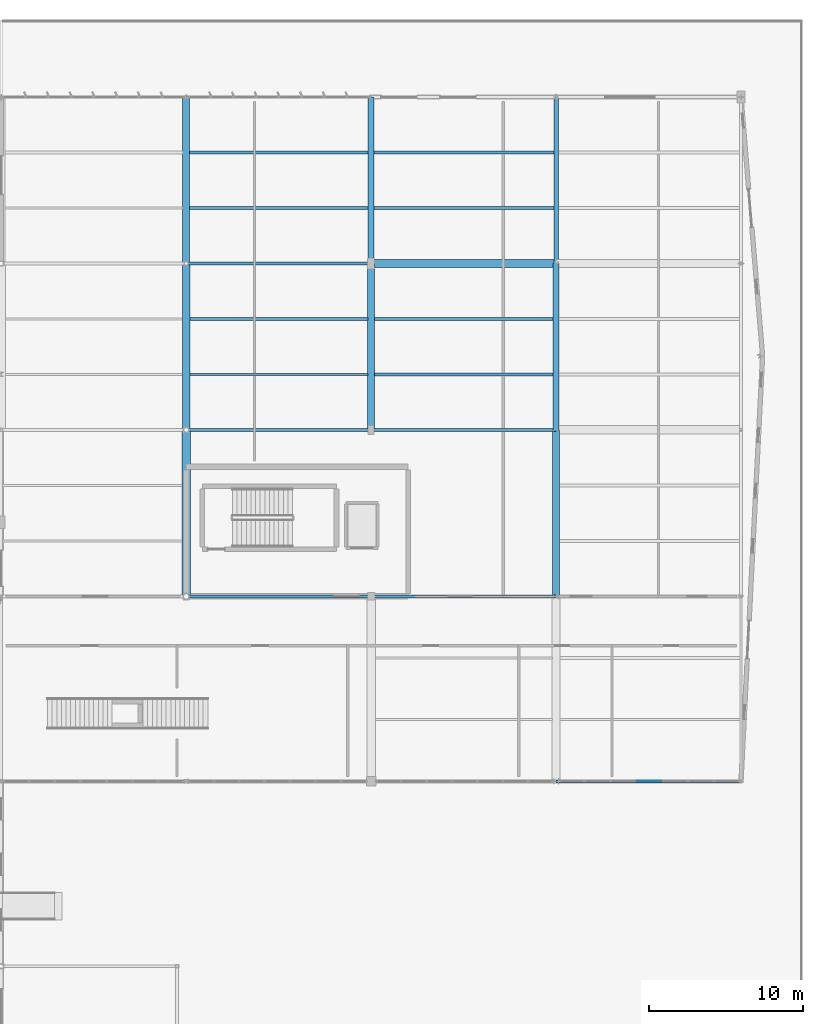
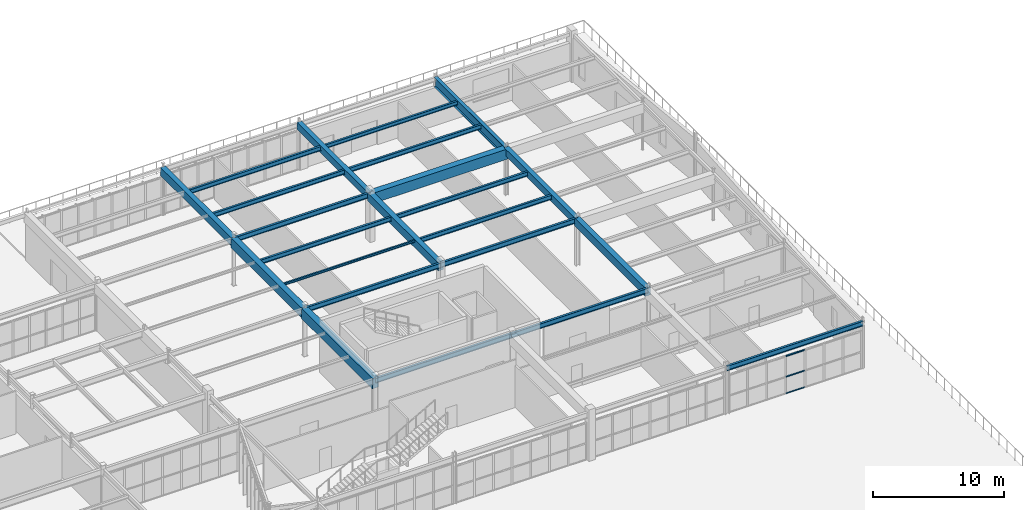
# One storey, part 108 of 199: 23 beams, 3 members, 1 element without a shape of its own.
"""IFC4 building model written with IfcOpenShell, lengths in metres."""

from ifc_helpers import new_model, si_unit, direction, frame, origin, origin_2d, place, context, subcontext, project, spatial, rectangle, i_section, extrude, material, layer, layer_set, material_profile, profile_set, type_object, element, aggregate, save


model = new_model("IFC4")

# Units and contexts
model_context = context("Model", 3, precision=1e-05, world=origin(), true_north=direction((0.0, 1.0)))
body_context = subcontext(model_context, "Body", "Model", "MODEL_VIEW")
ifc_project = project(units=[si_unit("LENGTHUNIT", "METRE"), si_unit("AREAUNIT", "SQUARE_METRE"), si_unit("VOLUMEUNIT", "CUBIC_METRE"), si_unit("PLANEANGLEUNIT", "RADIAN"), si_unit("MASSUNIT", "GRAM", prefix="KILO")], contexts=[model_context])

# Site, building, storey
site_placement = place(None, origin())
site = spatial("IfcSite", under=ifc_project, at=site_placement, CompositionType="ELEMENT")
building_placement = place(site_placement, origin())
building = spatial("IfcBuilding", under=site, at=building_placement, Name="Tarnwether General Hospital", CompositionType="ELEMENT")
storey_placement = place(building_placement, origin())
storey = spatial("IfcBuildingStorey", under=building, at=storey_placement, Name="L00", CompositionType="ELEMENT", Elevation=0.0)

# Beams
ifc_material_1 = material(Name="Steel Grade 350 (350 MPa)", Category="steel")
ifc_material_profile_1 = material_profile(ifc_material_1, i_section(OverallWidth=0.300048828125, OverallDepth=0.89990234375, WebThickness=0.011962890625, FlangeThickness=0.02001953125, at=origin_2d()), Name="900WB175")
ifc_profile_set_1 = profile_set([ifc_material_profile_1], Name="Steel Grade 350 (350 MPa)")
beam_type_1 = type_object("IfcBeamType", Name="BM-G01", PredefinedType="BEAM", material=ifc_profile_set_1)
beam_1_placement = place(storey_placement, frame((180.0, 115.199951171875, 3.9951171875), z_axis=(0.0, 1.0, 0.0), x_axis=(-1.0, 0.0, 0.0)))
element("IfcBeam", 1, at=beam_1_placement, inside=storey, type_object=beam_type_1, Name="Primary Girder BMG-L00-18000_11520-18000_12600-0853", PredefinedType="BEAM", context=body_context, shape_type="SweptSolid", body=[
    extrude(i_section(OverallWidth=0.300048828125, OverallDepth=0.89990234375, WebThickness=0.011962890625, FlangeThickness=0.02001953125, at=origin_2d()), origin(), (0.0, 0.0, 1.0), 10.800048828125),
])
ifc_material_2 = material(Name="Steel Grade 350 (350 MPa)", Category="steel")
ifc_material_profile_2 = material_profile(ifc_material_2, i_section(OverallWidth=0.19091796875, OverallDepth=0.4599609375, WebThickness=0.010009765625, FlangeThickness=0.01611328125, at=origin_2d()), Name="460UB82.1")
ifc_profile_set_2 = profile_set([ifc_material_profile_2], Name="Steel Grade 350 (350 MPa)")
beam_type_2 = type_object("IfcBeamType", Name="BM-G08", PredefinedType="BEAM", material=ifc_profile_set_2)
beam_2_placement = place(storey_placement, frame((156.0, 93.60009765625, 4.215087890625), z_axis=(1.0, 0.0, 0.0), x_axis=(0.0, 1.0, 0.0)))
element("IfcBeam", 2, at=beam_2_placement, inside=storey, type_object=beam_type_2, Name="Primary Girder BMG-L00-15600_9360-16800_9360-0814", PredefinedType="BEAM", context=body_context, shape_type="SweptSolid", body=[
    extrude(i_section(OverallWidth=0.19091796875, OverallDepth=0.4599609375, WebThickness=0.010009765625, FlangeThickness=0.01611328125, at=origin_2d()), origin(), (0.0, 0.0, 1.0), 12.0),
])
ifc_material_3 = material(Name="Steel Grade 350 (350 MPa)", Category="steel")
ifc_material_profile_3 = material_profile(ifc_material_3, i_section(OverallWidth=0.18994140625, OverallDepth=0.45703125, WebThickness=0.009033203125, FlangeThickness=0.014404296875, at=origin_2d()), Name="460UB74.6")
ifc_profile_set_3 = profile_set([ifc_material_profile_3], Name="Steel Grade 350 (350 MPa)")
beam_type_3 = type_object("IfcBeamType", Name="BM-G09", PredefinedType="BEAM", material=ifc_profile_set_3)
for number, where, z_axis, x_axis, name in (
    (3, (156.0, 104.39990234375, 4.216552734375), (1.0, 0.0, 0.0), (0.0, 1.0, 0.0), "Primary Girder BMG-L00-15600_10440-16800_10440-0816"),
    (4, (168.0, 93.60009765625, 4.216552734375), (1.0, 0.0, 0.0), (0.0, 1.0, 0.0), "Primary Girder BMG-L00-16800_9360-18000_9360-0831"),
    (5, (180.0, 81.60009765625, 4.216552734375), (1.0, 0.0, 0.0), (0.0, 1.0, 0.0), "Primary Girder BMG-L00-18000_8160-19200_8160-0846"),
):
    element("IfcBeam", number, at=place(storey_placement, frame(where, z_axis=z_axis, x_axis=x_axis)), inside=storey, type_object=beam_type_3, Name=name, PredefinedType="BEAM", context=body_context, shape_type="SweptSolid", body=[
        extrude(i_section(OverallWidth=0.18994140625, OverallDepth=0.45703125, WebThickness=0.009033203125, FlangeThickness=0.014404296875, at=origin_2d()), origin(), (0.0, 0.0, 1.0), 12.0),
    ])
ifc_material_4 = material(Name="Steel Grade 350 (350 MPa)", Category="steel")
ifc_material_profile_4 = material_profile(ifc_material_4, i_section(OverallWidth=0.18994140625, OverallDepth=0.4541015625, WebThickness=0.008544921875, FlangeThickness=0.0126953125, at=origin_2d()), Name="460UB67.1")
ifc_profile_set_4 = profile_set([ifc_material_profile_4], Name="Steel Grade 350 (350 MPa)")
beam_type_4 = type_object("IfcBeamType", Name="BM-G10", PredefinedType="BEAM", material=ifc_profile_set_4)
for number, where, z_axis, x_axis, name in (
    (6, (156.0, 115.199951171875, 4.218017578125), (1.0, 0.0, 0.0), (0.0, 1.0, 0.0), "Primary Girder BMG-L00-15600_11520-16800_11520-0818"),
    (7, (168.0, 104.39990234375, 4.218017578125), (1.0, 0.0, 0.0), (0.0, 1.0, 0.0), "Primary Girder BMG-L00-16800_10440-18000_10440-0832"),
):
    element("IfcBeam", number, at=place(storey_placement, frame(where, z_axis=z_axis, x_axis=x_axis)), inside=storey, type_object=beam_type_4, Name=name, PredefinedType="BEAM", context=body_context, shape_type="SweptSolid", body=[
        extrude(i_section(OverallWidth=0.18994140625, OverallDepth=0.4541015625, WebThickness=0.008544921875, FlangeThickness=0.0126953125, at=origin_2d()), origin(), (0.0, 0.0, 1.0), 12.0),
    ])
ifc_material_5 = material(Name="Concrete 40 MPa", Category="concrete")
ifc_material_profile_5 = material_profile(ifc_material_5, rectangle(XDim=0.550048828125, YDim=0.949951171875, at=origin_2d()), Name="RC-BM-550x950")
ifc_profile_set_5 = profile_set([ifc_material_profile_5], Name="Concrete 40 MPa")
beam_type_5 = type_object("IfcBeamType", Name="BM-G11", PredefinedType="BEAM", material=ifc_profile_set_5)
beam_3_placement = place(storey_placement, frame((156.0, 93.60009765625, 3.969970703125), z_axis=(0.0, 1.0, 0.0), x_axis=(-1.0, 0.0, 0.0)))
element("IfcBeam", 8, at=beam_3_placement, inside=storey, type_object=beam_type_5, Name="Primary Girder BMG-L00-15600_9360-15600_10440-0815", PredefinedType="BEAM", context=body_context, shape_type="SweptSolid", body=[
    extrude(rectangle(XDim=0.550048828125, YDim=0.949951171875, at=origin_2d()), origin(), (0.0, 0.0, 1.0), 10.7998046875),
])
beam_4_placement = place(storey_placement, frame((168.0, 115.199951171875, 3.969970703125), z_axis=(1.0, 0.0, 0.0), x_axis=(0.0, 1.0, 0.0)))
element("IfcBeam", 9, at=beam_4_placement, inside=storey, type_object=beam_type_5, Name="Primary Girder BMG-L00-16800_11520-18000_11520-0834", PredefinedType="BEAM", context=body_context, shape_type="SweptSolid", body=[
    extrude(rectangle(XDim=0.550048828125, YDim=0.949951171875, at=origin_2d()), origin(), (0.0, 0.0, 1.0), 12.0),
])
ifc_material_6 = material(Name="Concrete 40 MPa", Category="concrete")
ifc_material_profile_6 = material_profile(ifc_material_6, rectangle(XDim=0.5, YDim=0.89990234375, at=origin_2d()), Name="RC-BM-500x900")
ifc_profile_set_6 = profile_set([ifc_material_profile_6], Name="Concrete 40 MPa")
beam_type_6 = type_object("IfcBeamType", Name="BM-G12", PredefinedType="BEAM", material=ifc_profile_set_6)
beam_5_placement = place(storey_placement, frame((156.0, 104.39990234375, 3.9951171875), z_axis=(0.0, 1.0, 0.0), x_axis=(-1.0, 0.0, 0.0)))
element("IfcBeam", 10, at=beam_5_placement, inside=storey, type_object=beam_type_6, Name="Primary Girder BMG-L00-15600_10440-15600_11520-0817", PredefinedType="BEAM", context=body_context, shape_type="SweptSolid", body=[
    extrude(rectangle(XDim=0.5, YDim=0.89990234375, at=origin_2d()), origin(), (0.0, 0.0, 1.0), 10.800048828125),
])
ifc_material_7 = material(Name="Concrete 40 MPa", Category="concrete")
ifc_material_profile_7 = material_profile(ifc_material_7, rectangle(XDim=0.449951171875, YDim=0.75, at=origin_2d()), Name="RC-BM-450x750")
ifc_profile_set_7 = profile_set([ifc_material_profile_7], Name="Concrete 40 MPa")
beam_type_7 = type_object("IfcBeamType", Name="BM-G13", PredefinedType="BEAM", material=ifc_profile_set_7)
for number, where, z_axis, x_axis, name in (
    (11, (156.0, 115.199951171875, 4.070068359375), (0.0, 1.0, 0.0), (-1.0, 0.0, 0.0), "Primary Girder BMG-L00-15600_11520-15600_12600-0819"),
    (12, (168.0, 104.39990234375, 4.070068359375), (0.0, 1.0, 0.0), (-1.0, 0.0, 0.0), "Primary Girder BMG-L00-16800_10440-16800_11520-0833"),
):
    element("IfcBeam", number, at=place(storey_placement, frame(where, z_axis=z_axis, x_axis=x_axis)), inside=storey, type_object=beam_type_7, Name=name, PredefinedType="BEAM", context=body_context, shape_type="SweptSolid", body=[
        extrude(rectangle(XDim=0.449951171875, YDim=0.75, at=origin_2d()), origin(), (0.0, 0.0, 1.0), 10.800048828125),
    ])
beam_6_placement = place(storey_placement, frame((180.0, 93.60009765625, 4.070068359375), z_axis=(0.0, 1.0, 0.0), x_axis=(-1.0, 0.0, 0.0)))
element("IfcBeam", 13, at=beam_6_placement, inside=storey, type_object=beam_type_7, Name="Primary Girder BMG-L00-18000_9360-18000_10440-0849", PredefinedType="BEAM", context=body_context, shape_type="SweptSolid", body=[
    extrude(rectangle(XDim=0.449951171875, YDim=0.75, at=origin_2d()), origin(), (0.0, 0.0, 1.0), 10.7998046875),
])
ifc_material_8 = material(Name="Concrete 40 MPa", Category="concrete")
ifc_material_profile_8 = material_profile(ifc_material_8, rectangle(XDim=0.39990234375, YDim=0.64990234375, at=origin_2d()), Name="RC-BM-400x650")
ifc_profile_set_8 = profile_set([ifc_material_profile_8], Name="Concrete 40 MPa")
beam_type_8 = type_object("IfcBeamType", Name="BM-G14", PredefinedType="BEAM", material=ifc_profile_set_8)
for number, where, z_axis, x_axis, name in (
    (14, (168.0, 115.199951171875, 4.1201171875), (0.0, 1.0, 0.0), (-1.0, 0.0, 0.0), "Primary Girder BMG-L00-16800_11520-16800_12600-0835"),
    (15, (180.0, 104.39990234375, 4.1201171875), (0.0, 1.0, 0.0), (-1.0, 0.0, 0.0), "Primary Girder BMG-L00-18000_10440-18000_11520-0851"),
):
    element("IfcBeam", number, at=place(storey_placement, frame(where, z_axis=z_axis, x_axis=x_axis)), inside=storey, type_object=beam_type_8, Name=name, PredefinedType="BEAM", context=body_context, shape_type="SweptSolid", body=[
        extrude(rectangle(XDim=0.39990234375, YDim=0.64990234375, at=origin_2d()), origin(), (0.0, 0.0, 1.0), 10.800048828125),
    ])
ifc_material_9 = material(Name="Steel Grade 350 (350 MPa)", Category="steel")
ifc_material_profile_9 = material_profile(ifc_material_9, i_section(OverallWidth=0.177978515625, OverallDepth=0.406005859375, WebThickness=0.0078125, FlangeThickness=0.0126953125, at=origin_2d()), Name="410UB59.7")
ifc_profile_set_9 = profile_set([ifc_material_profile_9], Name="Steel Grade 350 (350 MPa)")
beam_type_9 = type_object("IfcBeamType", Name="BM-J01", PredefinedType="JOIST", material=ifc_profile_set_9)
beam_7_placement = place(storey_placement, frame((156.243896484375, 111.60009765625, 4.241943359375), z_axis=(1.0, 0.0, 0.0), x_axis=(0.0, 1.0, 0.0)))
element("IfcBeam", 16, at=beam_7_placement, inside=storey, type_object=beam_type_9, Name="Composite Floor Joist BMG-L00-15624_11160-16778_11160-1014", PredefinedType="JOIST", context=body_context, shape_type="SweptSolid", body=[
    extrude(i_section(OverallWidth=0.177978515625, OverallDepth=0.406005859375, WebThickness=0.0078125, FlangeThickness=0.0126953125, at=origin_2d()), origin(), (0.0, 0.0, 1.0), 11.537109375),
])
for number, where, z_axis, x_axis, name in (
    (17, (156.218994140625, 118.800048828125, 4.241943359375), (1.0, 0.0, 0.0), (0.0, 1.0, 0.0), "Composite Floor Joist BMG-L00-15622_11880-16781_11880-1015"),
    (18, (168.218994140625, 108.0, 4.241943359375), (1.0, 0.0, 0.0), (0.0, 1.0, 0.0), "Composite Floor Joist BMG-L00-16822_10800-17981_10800-1025"),
):
    element("IfcBeam", number, at=place(storey_placement, frame(where, z_axis=z_axis, x_axis=x_axis)), inside=storey, type_object=beam_type_9, Name=name, PredefinedType="JOIST", context=body_context, shape_type="SweptSolid", body=[
        extrude(i_section(OverallWidth=0.177978515625, OverallDepth=0.406005859375, WebThickness=0.0078125, FlangeThickness=0.0126953125, at=origin_2d()), origin(), (0.0, 0.0, 1.0), 11.5869140625),
    ])
ifc_material_10 = material(Name="Steel Grade 350 (350 MPa)", Category="steel")
ifc_material_profile_10 = material_profile(ifc_material_10, i_section(OverallWidth=0.177978515625, OverallDepth=0.403076171875, WebThickness=0.007568359375, FlangeThickness=0.010986328125, at=origin_2d()), Name="410UB53.7")
ifc_profile_set_10 = profile_set([ifc_material_profile_10], Name="Steel Grade 350 (350 MPa)")
beam_type_10 = type_object("IfcBeamType", Name="BM-J02", PredefinedType="JOIST", material=ifc_profile_set_10)
for number, where, z_axis, x_axis, name in (
    (19, (156.218994140625, 122.39990234375, 4.243408203125), (1.0, 0.0, 0.0), (0.0, 1.0, 0.0), "Composite Floor Joist BMG-L00-15622_12240-16781_12240-1016"),
    (20, (168.218994140625, 111.60009765625, 4.243408203125), (1.0, 0.0, 0.0), (0.0, 1.0, 0.0), "Composite Floor Joist BMG-L00-16822_11160-17981_11160-1026"),
):
    element("IfcBeam", number, at=place(storey_placement, frame(where, z_axis=z_axis, x_axis=x_axis)), inside=storey, type_object=beam_type_10, Name=name, PredefinedType="JOIST", context=body_context, shape_type="SweptSolid", body=[
        extrude(i_section(OverallWidth=0.177978515625, OverallDepth=0.403076171875, WebThickness=0.007568359375, FlangeThickness=0.010986328125, at=origin_2d()), origin(), (0.0, 0.0, 1.0), 11.5869140625),
    ])
beam_8_placement = place(storey_placement, frame((168.194091796875, 118.800048828125, 4.243408203125), z_axis=(1.0, 0.0, 0.0), x_axis=(0.0, 1.0, 0.0)))
element("IfcBeam", 21, at=beam_8_placement, inside=storey, type_object=beam_type_10, Name="Composite Floor Joist BMG-L00-16819_11880-17986_11880-1027", PredefinedType="JOIST", context=body_context, shape_type="SweptSolid", body=[
    extrude(i_section(OverallWidth=0.177978515625, OverallDepth=0.403076171875, WebThickness=0.007568359375, FlangeThickness=0.010986328125, at=origin_2d()), origin(), (0.0, 0.0, 1.0), 11.661865234375),
])
ifc_material_11 = material(Name="Steel Grade 350 (350 MPa)", Category="steel")
ifc_material_profile_11 = material_profile(ifc_material_11, i_section(OverallWidth=0.172119140625, OverallDepth=0.35888671875, WebThickness=0.008056640625, FlangeThickness=0.012939453125, at=origin_2d()), Name="360UB56.7")
ifc_profile_set_11 = profile_set([ifc_material_profile_11], Name="Steel Grade 350 (350 MPa)")
beam_type_11 = type_object("IfcBeamType", Name="BM-J03", PredefinedType="JOIST", material=ifc_profile_set_11)
beam_9_placement = place(storey_placement, frame((168.194091796875, 122.39990234375, 4.265380859375), z_axis=(1.0, 0.0, 0.0), x_axis=(0.0, 1.0, 0.0)))
element("IfcBeam", 22, at=beam_9_placement, inside=storey, type_object=beam_type_11, Name="Composite Floor Joist BMG-L00-16819_12240-17986_12240-1028", PredefinedType="JOIST", context=body_context, shape_type="SweptSolid", body=[
    extrude(i_section(OverallWidth=0.172119140625, OverallDepth=0.35888671875, WebThickness=0.008056640625, FlangeThickness=0.012939453125, at=origin_2d()), origin(), (0.0, 0.0, 1.0), 11.661865234375),
])
ifc_material_12 = material(Name="Steel Grade 350 (350 MPa)", Category="steel")
ifc_material_profile_12 = material_profile(ifc_material_12, i_section(OverallWidth=0.134033203125, OverallDepth=0.20703125, WebThickness=0.00634765625, FlangeThickness=0.009521484375, at=origin_2d()), Name="200UB29.8")
ifc_profile_set_12 = profile_set([ifc_material_profile_12], Name="Steel Grade 350 (350 MPa)")
beam_type_12 = type_object("IfcBeamType", Name="BM-J12", PredefinedType="JOIST", material=ifc_profile_set_12)
beam_10_placement = place(storey_placement, frame((156.243896484375, 108.0, 4.341552734375), z_axis=(1.0, 0.0, 0.0), x_axis=(0.0, 1.0, 0.0)))
element("IfcBeam", 23, at=beam_10_placement, inside=storey, type_object=beam_type_12, Name="Composite Floor Joist BMG-L00-15624_10800-16778_10800-1013", PredefinedType="JOIST", context=body_context, shape_type="SweptSolid", body=[
    extrude(i_section(OverallWidth=0.134033203125, OverallDepth=0.20703125, WebThickness=0.00634765625, FlangeThickness=0.009521484375, at=origin_2d()), origin(), (0.0, 0.0, 1.0), 11.537109375),
])

# Curtain wall, members
ifc_material_13 = material(Name="Anodised aluminium", Category="aluminium")
ifc_layer = layer(ifc_material_13, 0.159912109375)
ifc_layer_set = layer_set([ifc_layer], Name="Anodised aluminium")
curtain_wall_type = type_object("IfcCurtainWallType", Name="CW-20", PredefinedType="NOTDEFINED", material=ifc_layer_set)
curtain_wall_placement = place(storey_placement, origin())
curtain_wall = element("IfcCurtainWall", 24, at=curtain_wall_placement, inside=storey, type_object=curtain_wall_type, Name="Curtain Wall CWG-L00-1919_816-0290", PredefinedType="NOTDEFINED")
ifc_material_14 = material(Name="Anodised aluminium", Category="aluminium")
ifc_material_profile_13 = material_profile(ifc_material_14, rectangle(XDim=0.06005859375, YDim=0.1201171875, at=origin_2d()), Name="ALU-TRN-60x120")
ifc_profile_set_13 = profile_set([ifc_material_profile_13], Name="Anodised aluminium")
member_type = type_object("IfcMemberType", Name="CW-TR1", PredefinedType="USERDEFINED", material=ifc_profile_set_13)
member_1_placement = place(storey_placement, frame((186.85107421875, 81.60009765625, 0.030029296875), z_axis=(-1.0, 0.0, 0.0), x_axis=(0.0, -1.0, 0.0)))
member_1 = element("IfcMember", 25, at=member_1_placement, type_object=member_type, Name="CW-20 transom 4.1", ObjectType="TRANSOM", PredefinedType="USERDEFINED", context=body_context, shape_type="SweptSolid", body=[
    extrude(rectangle(XDim=0.06005859375, YDim=0.1201171875, at=origin_2d()), origin(), (0.0, 0.0, 1.0), 1.6181640625),
])
member_2_placement = place(storey_placement, frame((186.85107421875, 81.60009765625, 1.58837890625), z_axis=(-1.0, 0.0, 0.0), x_axis=(0.0, -1.0, 0.0)))
member_2 = element("IfcMember", 26, at=member_2_placement, type_object=member_type, Name="CW-20 transom 4.2", ObjectType="TRANSOM", PredefinedType="USERDEFINED", context=body_context, shape_type="SweptSolid", body=[
    extrude(rectangle(XDim=0.06005859375, YDim=0.1201171875, at=origin_2d()), origin(), (0.0, 0.0, 1.0), 1.6181640625),
])
member_3_placement = place(storey_placement, frame((186.85107421875, 81.60009765625, 3.5), z_axis=(-1.0, 0.0, 0.0), x_axis=(0.0, -1.0, 0.0)))
member_3 = element("IfcMember", 27, at=member_3_placement, type_object=member_type, Name="CW-20 transom 4.3", ObjectType="TRANSOM", PredefinedType="USERDEFINED", context=body_context, shape_type="SweptSolid", body=[
    extrude(rectangle(XDim=0.06005859375, YDim=0.1201171875, at=origin_2d()), origin(), (0.0, 0.0, 1.0), 1.6181640625),
])
aggregate(curtain_wall, [member_1, member_2, member_3])

save(model, "model.ifc")
